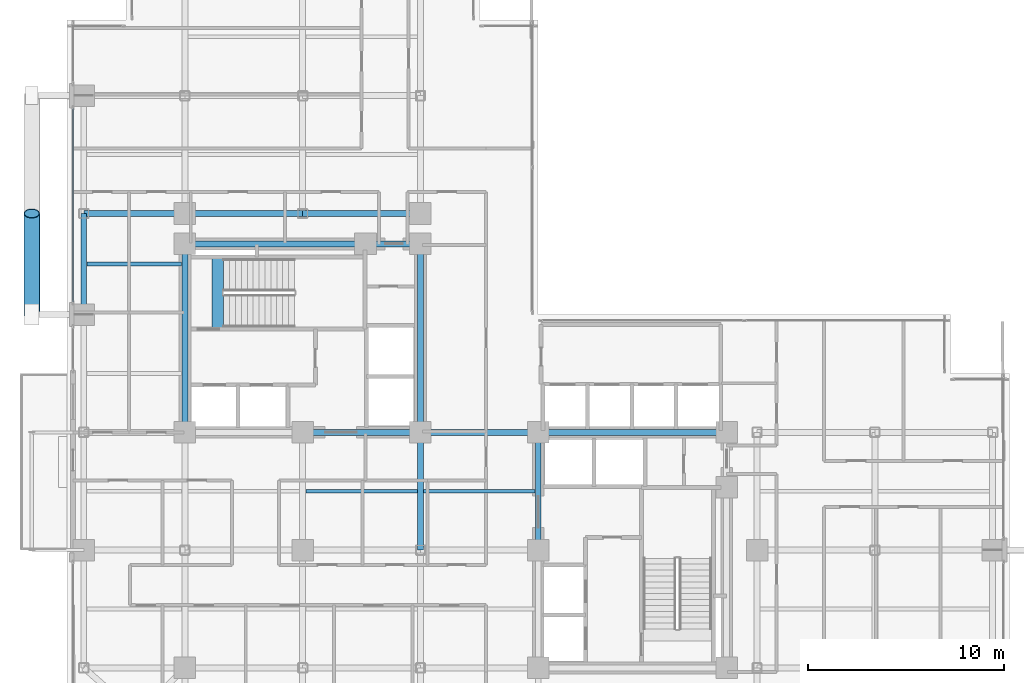
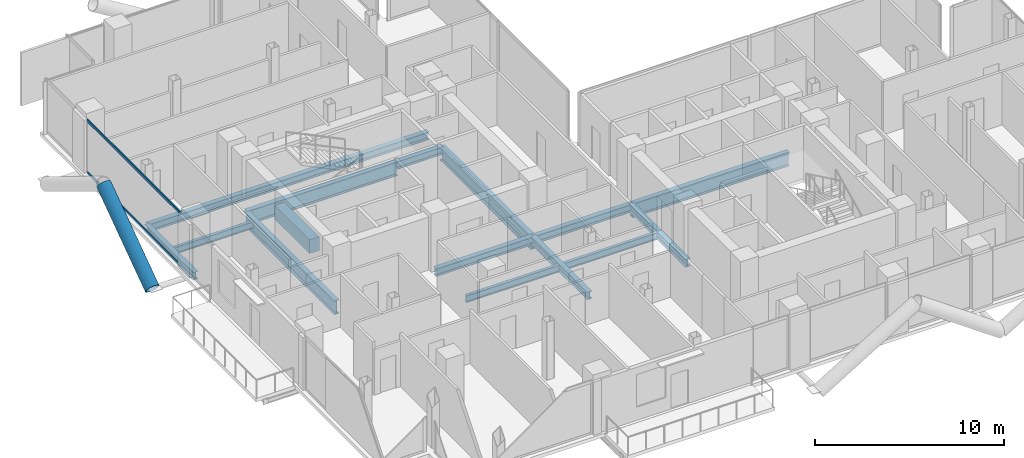
# One storey, part 7 of 24: 17 beams, 3 members, 1 element without a shape of its own.
"""IFC4 building model written with IfcOpenShell, lengths in metres."""

from ifc_helpers import new_model, si_unit, direction, frame, origin, origin_2d, place, context, subcontext, project, spatial, rectangle, hollow_rectangle, hollow_circle, i_section, extrude, material, layer, layer_set, material_profile, profile_set, type_object, element, aggregate, save


model = new_model("IFC4")

# Units and contexts
model_context = context("Model", 3, precision=1e-05, world=origin(), true_north=direction((0.0, 1.0)))
body_context = subcontext(model_context, "Body", "Model", "MODEL_VIEW")
ifc_project = project(units=[si_unit("LENGTHUNIT", "METRE"), si_unit("AREAUNIT", "SQUARE_METRE"), si_unit("VOLUMEUNIT", "CUBIC_METRE"), si_unit("PLANEANGLEUNIT", "RADIAN"), si_unit("MASSUNIT", "GRAM", prefix="KILO"), si_unit("THERMODYNAMICTEMPERATUREUNIT", "KELVIN"), si_unit("POWERUNIT", "WATT")], contexts=[model_context])

# Site, building, storey
site_placement = place(None, origin())
site = spatial("IfcSite", under=ifc_project, at=site_placement, CompositionType="ELEMENT")
building_placement = place(site_placement, origin())
building = spatial("IfcBuilding", under=site, at=building_placement, Name="Svarakhadi Broadcast Tower", CompositionType="ELEMENT")
storey_placement = place(building_placement, frame((0.0, 0.0, 160.64990234375)))
storey = spatial("IfcBuildingStorey", under=building, at=storey_placement, Name="L39", CompositionType="ELEMENT", Elevation=160.64990234375)

# Beams
ifc_material_1 = material(Name="Steel S355J2 (IS 2062 E350C)", Category="steel")
ifc_material_profile_1 = material_profile(ifc_material_1, i_section(OverallWidth=0.18994140625, OverallDepth=0.449951171875, WebThickness=0.009521484375, FlangeThickness=0.0146484375, FilletRadius=0.02099609375, at=origin_2d()), Name="NPB 450x190x78")
ifc_profile_set_1 = profile_set([ifc_material_profile_1], Name="Steel S355J2 (IS 2062 E350C)")
beam_type_1 = type_object("IfcBeamType", Name="Beam_NPB450", PredefinedType="BEAM", material=ifc_profile_set_1)
beam_1_placement = place(storey_placement, frame((1.010009765625, 26.574951171875, -0.449951171875), z_axis=(1.0, 0.0, 0.0), x_axis=(0.0, 1.0, 0.0)))
element("IfcBeam", 1, at=beam_1_placement, inside=storey, type_object=beam_type_1, Name="L39 Secondary Composite Beam SB004", PredefinedType="BEAM", context=body_context, shape_type="SweptSolid", body=[
    extrude(i_section(OverallWidth=0.18994140625, OverallDepth=0.449951171875, WebThickness=0.009521484375, FlangeThickness=0.0146484375, FilletRadius=0.02099609375, at=origin_2d()), origin(), (0.0, 0.0, 1.0), 4.830078125),
])
for number, where, z_axis, x_axis, name in (
    (2, (12.159912109375, 15.0, -0.449951171875), (1.0, 0.0, 0.0), (0.0, 1.0, 0.0), "L39 Secondary Composite Beam SB013"),
    (3, (18.159912109375, 15.0, -0.449951171875), (1.0, 0.0, 0.0), (0.0, 1.0, 0.0), "L39 Secondary Composite Beam SB018"),
):
    element("IfcBeam", number, at=place(storey_placement, frame(where, z_axis=z_axis, x_axis=x_axis)), inside=storey, type_object=beam_type_1, Name=name, PredefinedType="BEAM", context=body_context, shape_type="SweptSolid", body=[
        extrude(i_section(OverallWidth=0.18994140625, OverallDepth=0.449951171875, WebThickness=0.009521484375, FlangeThickness=0.0146484375, FilletRadius=0.02099609375, at=origin_2d()), origin(), (0.0, 0.0, 1.0), 5.68017578125),
    ])

# Curtain wall, members
ifc_material_2 = material(Name="Anodised Bronze Aluminium AA 6063-T6", Category="aluminium")
ifc_layer = layer(ifc_material_2, 0.199951171875)
ifc_layer_set = layer_set([ifc_layer], Name="Anodised Bronze Aluminium AA 6063-T6")
curtain_wall_type = type_object("IfcCurtainWallType", Name="CW_Sys_03", PredefinedType="NOTDEFINED", material=ifc_layer_set)
curtain_wall_placement = place(storey_placement, origin())
curtain_wall = element("IfcCurtainWall", 4, at=curtain_wall_placement, inside=storey, type_object=curtain_wall_type, Name="L39 West Curtain Wall 03 Bay 2", PredefinedType="NOTDEFINED")
ifc_material_profile_2 = material_profile(ifc_material_2, hollow_rectangle(XDim=0.070068359375, YDim=0.18505859375, WallThickness=0.0048828125, at=origin_2d()), Name="ALU TRANSOM 185x70x5")
ifc_profile_set_2 = profile_set([ifc_material_profile_2], Name="Anodised Bronze Aluminium AA 6063-T6")
member_type_1 = type_object("IfcMemberType", Name="CW_Sys_03_Trn", PredefinedType="USERDEFINED", material=ifc_profile_set_2)
member_1_placement = place(storey_placement, frame((0.300048828125, 24.64501953125, 0.03515625), z_axis=(0.0, 1.0, 0.0), x_axis=(-1.0, 0.0, 0.0)))
member_1 = element("IfcMember", 5, at=member_1_placement, type_object=member_type_1, Name="CW-03 transom 1.1", ObjectType="TRANSOM", PredefinedType="USERDEFINED", context=body_context, shape_type="SweptSolid", body=[
    extrude(hollow_rectangle(XDim=0.070068359375, YDim=0.18505859375, WallThickness=0.0048828125, at=origin_2d()), origin(), (0.0, 0.0, 1.0), 9.85986328125),
])
member_2_placement = place(storey_placement, frame((0.300048828125, 24.64501953125, 3.39013671875), z_axis=(0.0, 1.0, 0.0), x_axis=(-1.0, 0.0, 0.0)))
member_2 = element("IfcMember", 6, at=member_2_placement, type_object=member_type_1, Name="CW-03 transom 1.2", ObjectType="TRANSOM", PredefinedType="USERDEFINED", context=body_context, shape_type="SweptSolid", body=[
    extrude(hollow_rectangle(XDim=0.070068359375, YDim=0.18505859375, WallThickness=0.0048828125, at=origin_2d()), origin(), (0.0, 0.0, 1.0), 9.85986328125),
])
aggregate(curtain_wall, [member_1, member_2])

# Beam
ifc_material_3 = material(Name="Concrete C50/60 (IS 456 M60)", Category="concrete")
ifc_material_profile_3 = material_profile(ifc_material_3, rectangle(XDim=0.60009765625, YDim=0.89990234375, at=origin_2d()), Name="RC 600x900")
ifc_profile_set_3 = profile_set([ifc_material_profile_3], Name="Concrete C50/60 (IS 456 M60)")
beam_type_2 = type_object("IfcBeamType", Name="Coupling_RC600", PredefinedType="USERDEFINED", material=ifc_profile_set_3)
beam_2_placement = place(storey_placement, frame((7.679931640625, 23.260009765625, -0.449951171875), z_axis=(0.0, 1.0, 0.0), x_axis=(-1.0, 0.0, 0.0)))
element("IfcBeam", 7, at=beam_2_placement, inside=storey, type_object=beam_type_2, Name="L39 Stair ST-01 Landing Throat Trimmer Beam CB-01", ObjectType="GIRDER", PredefinedType="USERDEFINED", context=body_context, shape_type="SweptSolid", body=[
    extrude(rectangle(XDim=0.60009765625, YDim=0.89990234375, at=origin_2d()), origin(), (0.0, 0.0, 1.0), 3.679931640625),
])

# Member
ifc_material_4 = material(Name="Steel S460ML (IS 2062 E450BR)", Category="steel")
ifc_material_profile_4 = material_profile(ifc_material_4, hollow_circle(Radius=0.406494140625, WallThickness=0.0400390625, at=origin_2d()), Name="CHS 813x40")
ifc_profile_set_4 = profile_set([ifc_material_profile_4], Name="Steel S460ML (IS 2062 E450BR)")
member_type_2 = type_object("IfcMemberType", Name="Exo_Brace_CHS813", PredefinedType="BRACE", material=ifc_profile_set_4)
member_3_placement = place(storey_placement, frame((-1.800048828125, 24.0, -0.386962890625), z_axis=(0.0, 0.81585265658, 0.578259840169), x_axis=(-1.0, 0.0, 0.0)))
element("IfcMember", 8, at=member_3_placement, inside=storey, type_object=member_type_2, Name="L39 Exposed Bronze Exoskeleton Diagonal W04", PredefinedType="BRACE", context=body_context, shape_type="SweptSolid", body=[
    extrude(hollow_circle(Radius=0.406494140625, WallThickness=0.0400390625, at=origin_2d()), origin(), (0.0, 0.0, 1.0), 6.312255859375),
])

# Beams
ifc_material_profile_5 = material_profile(ifc_material_1, i_section(OverallWidth=0.300048828125, OverallDepth=0.5, WebThickness=0.014404296875, FlangeThickness=0.028076171875, FilletRadius=0.027099609375, at=origin_2d()), Name="WPB 500x300x187")
ifc_profile_set_5 = profile_set([ifc_material_profile_5], Name="Steel S355J2 (IS 2062 E350C)")
beam_type_3 = type_object("IfcBeamType", Name="Girder_WPB500", PredefinedType="USERDEFINED", material=ifc_profile_set_5)
for number, where, z_axis, x_axis, name in (
    (9, (12.0, 18.0, -0.474853515625), (1.0, 0.0, 0.0), (0.0, 1.0, 0.0), "L39 Primary E-W Girder G025"),
    (10, (18.0, 18.0, -0.474853515625), (1.0, 0.0, 0.0), (0.0, 1.0, 0.0), "L39 Primary E-W Girder G026"),
):
    element("IfcBeam", number, at=place(storey_placement, frame(where, z_axis=z_axis, x_axis=x_axis)), inside=storey, type_object=beam_type_3, Name=name, ObjectType="GIRDER", PredefinedType="USERDEFINED", context=body_context, shape_type="SweptSolid", body=[
        extrude(i_section(OverallWidth=0.300048828125, OverallDepth=0.5, WebThickness=0.014404296875, FlangeThickness=0.028076171875, FilletRadius=0.027099609375, at=origin_2d()), origin(), (0.0, 0.0, 1.0), 6.0),
    ])
beam_3_placement = place(storey_placement, frame((15.199951171875, 27.60009765625, -0.474853515625), z_axis=(1.0, 0.0, 0.0), x_axis=(0.0, 1.0, 0.0)))
element("IfcBeam", 11, at=beam_3_placement, inside=storey, type_object=beam_type_3, Name="L39 Primary E-W Girder G031", ObjectType="GIRDER", PredefinedType="USERDEFINED", context=body_context, shape_type="SweptSolid", body=[
    extrude(i_section(OverallWidth=0.300048828125, OverallDepth=0.5, WebThickness=0.014404296875, FlangeThickness=0.028076171875, FilletRadius=0.027099609375, at=origin_2d()), origin(), (0.0, 0.0, 1.0), 2.800048828125),
])
beam_4_placement = place(storey_placement, frame((0.85009765625, 29.14990234375, -0.474853515625), z_axis=(1.0, 0.0, 0.0), x_axis=(0.0, 1.0, 0.0)))
element("IfcBeam", 12, at=beam_4_placement, inside=storey, type_object=beam_type_3, Name="L39 Primary E-W Girder G032", ObjectType="GIRDER", PredefinedType="USERDEFINED", context=body_context, shape_type="SweptSolid", body=[
    extrude(i_section(OverallWidth=0.300048828125, OverallDepth=0.5, WebThickness=0.014404296875, FlangeThickness=0.028076171875, FilletRadius=0.027099609375, at=origin_2d()), origin(), (0.0, 0.0, 1.0), 5.14990234375),
])
for number, where, z_axis, x_axis, name in (
    (13, (6.0, 29.14990234375, -0.474853515625), (1.0, 0.0, 0.0), (0.0, 1.0, 0.0), "L39 Primary E-W Girder G033"),
    (14, (12.0, 29.14990234375, -0.474853515625), (1.0, 0.0, 0.0), (0.0, 1.0, 0.0), "L39 Primary E-W Girder G034"),
):
    element("IfcBeam", number, at=place(storey_placement, frame(where, z_axis=z_axis, x_axis=x_axis)), inside=storey, type_object=beam_type_3, Name=name, ObjectType="GIRDER", PredefinedType="USERDEFINED", context=body_context, shape_type="SweptSolid", body=[
        extrude(i_section(OverallWidth=0.300048828125, OverallDepth=0.5, WebThickness=0.014404296875, FlangeThickness=0.028076171875, FilletRadius=0.027099609375, at=origin_2d()), origin(), (0.0, 0.0, 1.0), 6.0),
    ])
beam_5_placement = place(storey_placement, frame((0.85009765625, 24.0, -0.474853515625), z_axis=(0.0, 1.0, 0.0), x_axis=(-1.0, 0.0, 0.0)))
element("IfcBeam", 15, at=beam_5_placement, inside=storey, type_object=beam_type_3, Name="L39 Primary N-S Girder G043", ObjectType="GIRDER", PredefinedType="USERDEFINED", context=body_context, shape_type="SweptSolid", body=[
    extrude(i_section(OverallWidth=0.300048828125, OverallDepth=0.5, WebThickness=0.014404296875, FlangeThickness=0.028076171875, FilletRadius=0.027099609375, at=origin_2d()), origin(), (0.0, 0.0, 1.0), 5.14990234375),
])
for number, where, z_axis, x_axis, name in (
    (16, (18.0, 12.0, -0.474853515625), (0.0, 1.0, 0.0), (-1.0, 0.0, 0.0), "L39 Primary N-S Girder G058"),
    (17, (24.0, 12.0, -0.474853515625), (0.0, 1.0, 0.0), (-1.0, 0.0, 0.0), "L39 Primary N-S Girder G064"),
):
    element("IfcBeam", number, at=place(storey_placement, frame(where, z_axis=z_axis, x_axis=x_axis)), inside=storey, type_object=beam_type_3, Name=name, ObjectType="GIRDER", PredefinedType="USERDEFINED", context=body_context, shape_type="SweptSolid", body=[
        extrude(i_section(OverallWidth=0.300048828125, OverallDepth=0.5, WebThickness=0.014404296875, FlangeThickness=0.028076171875, FilletRadius=0.027099609375, at=origin_2d()), origin(), (0.0, 0.0, 1.0), 6.0),
    ])
ifc_material_profile_6 = material_profile(ifc_material_4, i_section(OverallWidth=0.300048828125, OverallDepth=0.89990234375, WebThickness=0.0185546875, FlangeThickness=0.034912109375, FilletRadius=0.030029296875, at=origin_2d()), Name="WPB 900x300x291")
ifc_profile_set_6 = profile_set([ifc_material_profile_6], Name="Steel S460ML (IS 2062 E450BR)")
beam_type_4 = type_object("IfcBeamType", Name="Girder_WPB900", PredefinedType="USERDEFINED", material=ifc_profile_set_6)
beam_6_placement = place(storey_placement, frame((24.0, 18.0, -0.6748046875), z_axis=(1.0, 0.0, 0.0), x_axis=(0.0, 1.0, 0.0)))
element("IfcBeam", 18, at=beam_6_placement, inside=storey, type_object=beam_type_4, Name="L39 Primary E-W Girder G027", ObjectType="GIRDER", PredefinedType="USERDEFINED", context=body_context, shape_type="SweptSolid", body=[
    extrude(i_section(OverallWidth=0.300048828125, OverallDepth=0.89990234375, WebThickness=0.0185546875, FlangeThickness=0.034912109375, FilletRadius=0.030029296875, at=origin_2d()), origin(), (0.0, 0.0, 1.0), 9.60009765625),
])
beam_7_placement = place(storey_placement, frame((6.0, 27.60009765625, -0.6748046875), z_axis=(1.0, 0.0, 0.0), x_axis=(0.0, 1.0, 0.0)))
element("IfcBeam", 19, at=beam_7_placement, inside=storey, type_object=beam_type_4, Name="L39 Primary E-W Girder G030", ObjectType="GIRDER", PredefinedType="USERDEFINED", context=body_context, shape_type="SweptSolid", body=[
    extrude(i_section(OverallWidth=0.300048828125, OverallDepth=0.89990234375, WebThickness=0.0185546875, FlangeThickness=0.034912109375, FilletRadius=0.030029296875, at=origin_2d()), origin(), (0.0, 0.0, 1.0), 9.199951171875),
])
for number, where, z_axis, x_axis, name in (
    (20, (6.0, 18.0, -0.6748046875), (0.0, 1.0, 0.0), (-1.0, 0.0, 0.0), "L39 Primary N-S Girder G048"),
    (21, (18.0, 18.0, -0.6748046875), (0.0, 1.0, 0.0), (-1.0, 0.0, 0.0), "L39 Primary N-S Girder G059"),
):
    element("IfcBeam", number, at=place(storey_placement, frame(where, z_axis=z_axis, x_axis=x_axis)), inside=storey, type_object=beam_type_4, Name=name, ObjectType="GIRDER", PredefinedType="USERDEFINED", context=body_context, shape_type="SweptSolid", body=[
        extrude(i_section(OverallWidth=0.300048828125, OverallDepth=0.89990234375, WebThickness=0.0185546875, FlangeThickness=0.034912109375, FilletRadius=0.030029296875, at=origin_2d()), origin(), (0.0, 0.0, 1.0), 9.60009765625),
    ])

save(model, "model.ifc")
